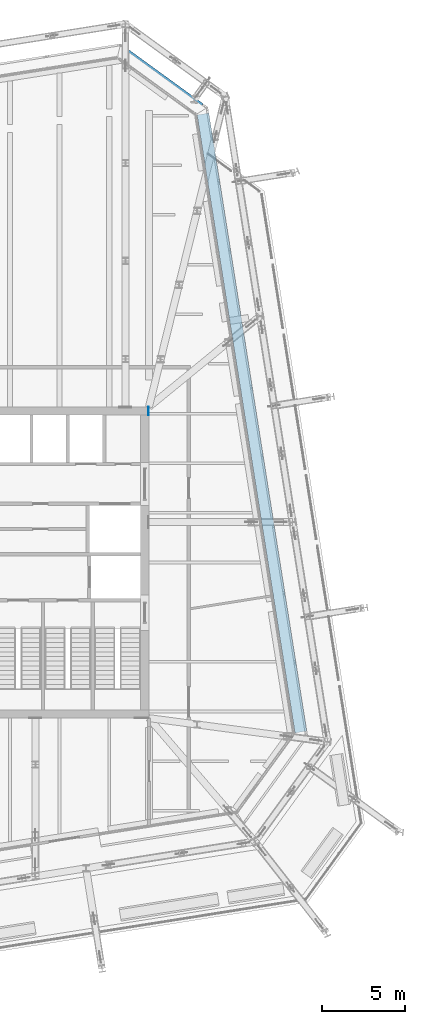
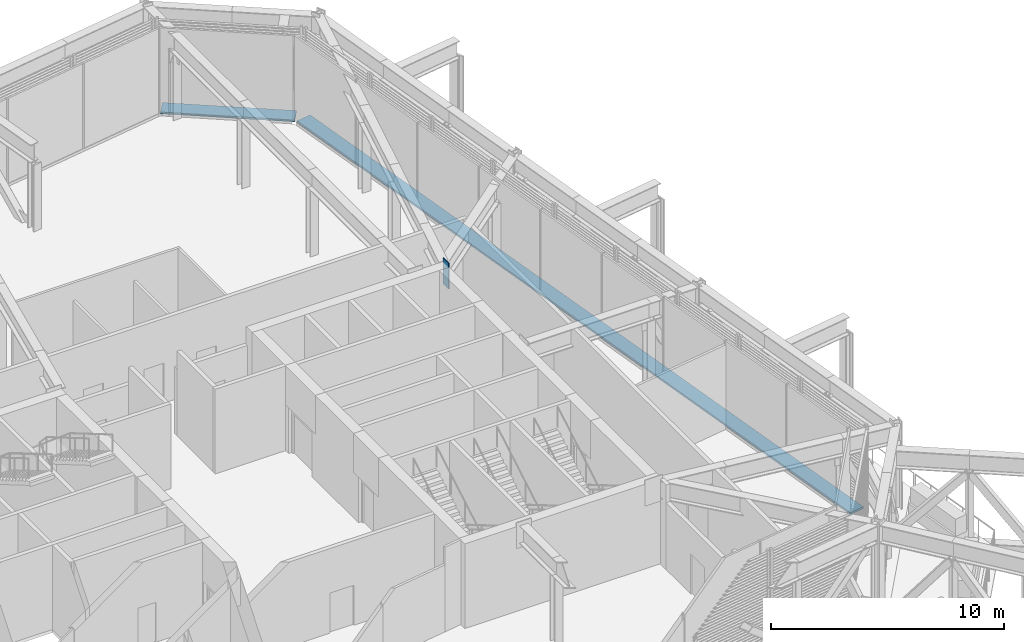
# One storey, part 28 of 35: 3 discrete accessories.
"""IFC4 building model written with IfcOpenShell, lengths in metres."""

from ifc_helpers import new_model, si_unit, direction, frame, origin, origin_2d, place, context, subcontext, project, spatial, rectangle, extrude, material, layer, layer_set, type_object, element, save


model = new_model("IFC4")

# Units and contexts
model_context = context("Model", 3, precision=1e-05, world=origin(), true_north=direction((0.0, 1.0)))
body_context = subcontext(model_context, "Body", "Model", "MODEL_VIEW")
ifc_project = project(units=[si_unit("LENGTHUNIT", "METRE"), si_unit("AREAUNIT", "SQUARE_METRE"), si_unit("VOLUMEUNIT", "CUBIC_METRE"), si_unit("PLANEANGLEUNIT", "RADIAN"), si_unit("MASSUNIT", "GRAM", prefix="KILO")], contexts=[model_context])

# Site, building, storey
site_placement = place(None, origin())
site = spatial("IfcSite", under=ifc_project, at=site_placement, CompositionType="ELEMENT")
building_placement = place(site_placement, origin())
building = spatial("IfcBuilding", under=site, at=building_placement, Name="Millrace Tower", CompositionType="ELEMENT")
storey_placement = place(building_placement, frame((0.0, 0.0, 200.10009765625)))
storey = spatial("IfcBuildingStorey", under=building, at=storey_placement, Name="L45", CompositionType="ELEMENT", Elevation=200.10009765625)

# Discrete accessories
ifc_material_1 = material(Name="Steel ASTM A572 Grade 50", Category="steel")
ifc_layer = layer(ifc_material_1, 0.034912109375)
ifc_layer_set = layer_set([ifc_layer], Name="Steel ASTM A572 Grade 50")
discrete_accessory_type_1 = type_object("IfcDiscreteAccessoryType", Name="Cast-in anchor plate 500x1350x35", PredefinedType="ANCHORPLATE", material=ifc_layer_set)
discrete_accessory_1_placement = place(storey_placement, frame((14.364990234375, 9.14990234375, 3.96630859375), z_axis=(1.0, 0.0, 0.0), x_axis=(0.0, 1.0, 0.0)))
element("IfcDiscreteAccessory", 1, at=discrete_accessory_1_placement, inside=storey, type_object=discrete_accessory_type_1, Name="Cast-in anchor plate TRS-L45-C08-T02", PredefinedType="ANCHORPLATE", context=body_context, shape_type="SweptSolid", body=[
    extrude(rectangle(XDim=0.5, YDim=1.35009765625, at=origin_2d()), origin(), (0.0, 0.0, 1.0), 0.034912109375),
])
ifc_material_2 = material(Name="Stainless steel ASTM A240 type 316", Category="steel")
discrete_accessory_type_2 = type_object("IfcDiscreteAccessoryType", Name="Thermally broken screen support rail", PredefinedType="BRACKET", material=ifc_material_2)
discrete_accessory_2_placement = place(storey_placement, frame((20.62060546875, 8.427734375, -0.000244140625), z_axis=(0.0, 0.0, 1.0), x_axis=(-0.156434471884, 0.987688339511, 0.0)))
element("IfcDiscreteAccessory", 2, at=discrete_accessory_2_placement, inside=storey, type_object=discrete_accessory_type_2, Name="Thermally broken screen support rail D-F04 L45 1", PredefinedType="BRACKET", context=body_context, shape_type="SweptSolid", body=[
    extrude(rectangle(XDim=37.800048828125, YDim=0.719970703125, at=origin_2d()), origin(), (0.0, 0.0, 1.0), 0.10009765625),
])
discrete_accessory_3_placement = place(storey_placement, frame((15.114501953125, 29.132080078125, -0.000244140625), z_axis=(0.0, 0.0, 1.0), x_axis=(-0.809016955361, 0.587785305991, 0.0)))
element("IfcDiscreteAccessory", 3, at=discrete_accessory_3_placement, inside=storey, type_object=discrete_accessory_type_2, Name="Thermally broken screen support rail D-F05 L45 1", PredefinedType="BRACKET", context=body_context, shape_type="SweptSolid", body=[
    extrude(rectangle(XDim=5.79833984375, YDim=0.719970703125, at=origin_2d()), origin(), (0.0, 0.0, 1.0), 0.10009765625),
])

save(model, "model.ifc")
